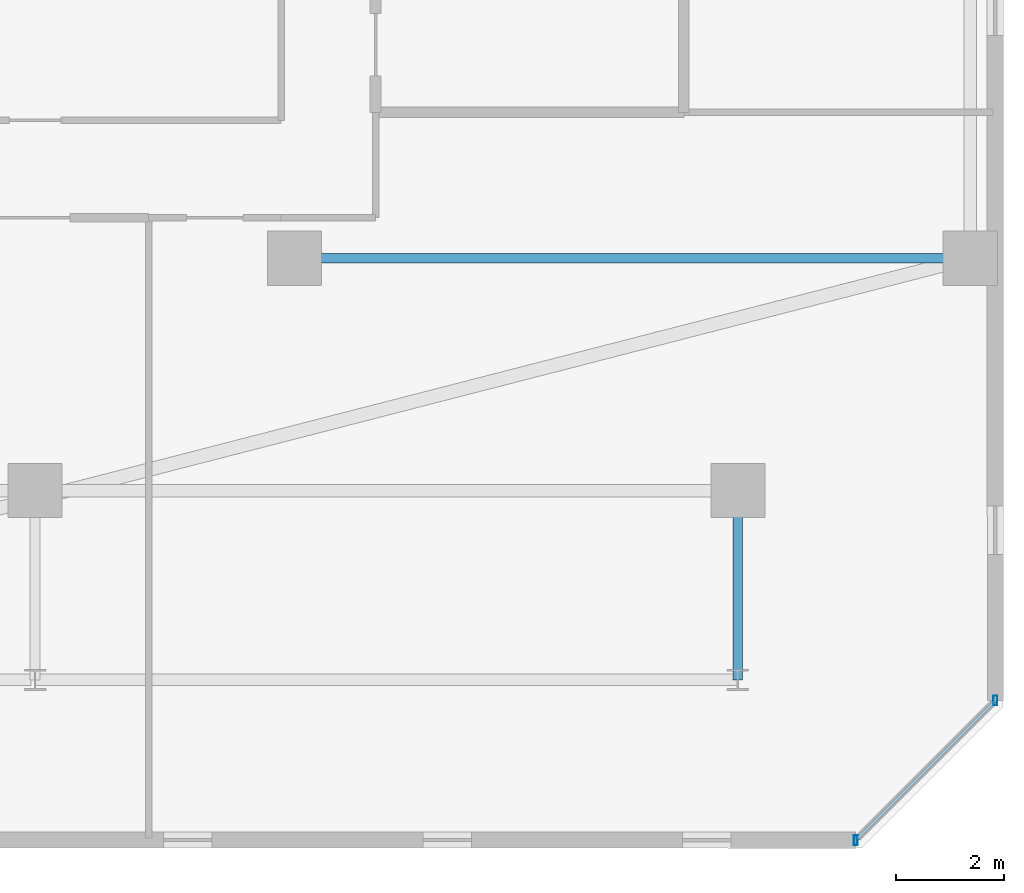
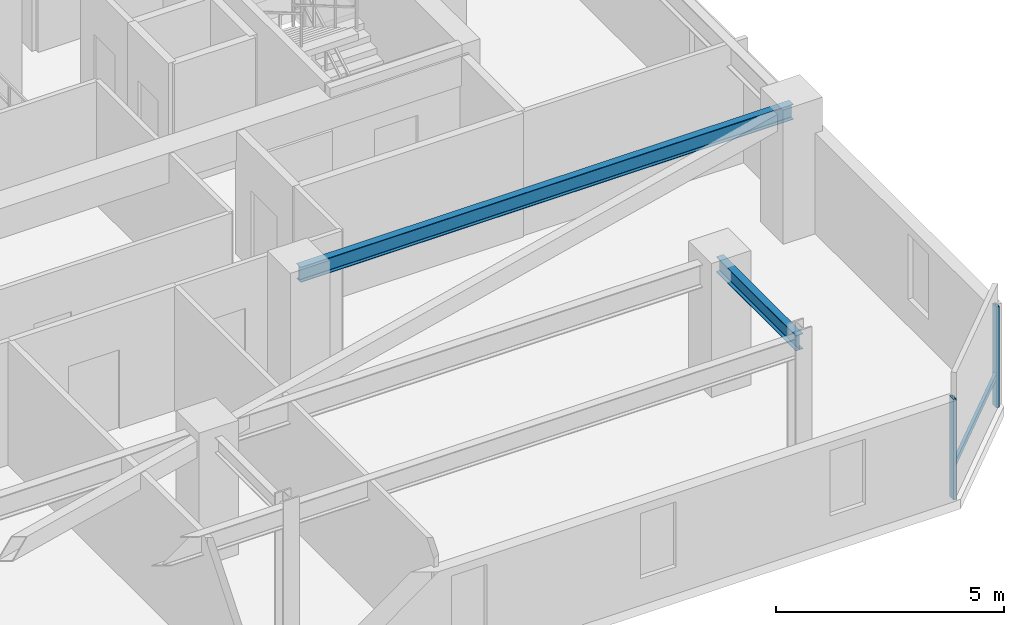
# One storey, part 14 of 32: 3 members, 2 beams, 1 element without a shape of its own.
"""IFC4 building model written with IfcOpenShell, lengths in metres."""

from ifc_helpers import new_model, si_unit, direction, frame, origin, origin_2d, place, context, subcontext, project, spatial, hollow_rectangle, i_section, extrude, material, material_profile, profile_set, type_object, element, aggregate, save


model = new_model("IFC4")

# Units and contexts
model_context = context("Model", 3, precision=1e-05, world=origin(), true_north=direction((0.0, 1.0)))
body_context = subcontext(model_context, "Body", "Model", "MODEL_VIEW")
ifc_project = project(units=[si_unit("LENGTHUNIT", "METRE"), si_unit("AREAUNIT", "SQUARE_METRE"), si_unit("VOLUMEUNIT", "CUBIC_METRE"), si_unit("PLANEANGLEUNIT", "RADIAN"), si_unit("MASSUNIT", "GRAM", prefix="KILO")], contexts=[model_context])

# Site, building, storey
site_placement = place(None, origin())
site = spatial("IfcSite", under=ifc_project, at=site_placement, CompositionType="ELEMENT")
building_placement = place(site_placement, origin())
building = spatial("IfcBuilding", under=site, at=building_placement, Name="Thornwick Lancets Civic Towers", CompositionType="ELEMENT")
storey_placement = place(building_placement, frame((0.0, 0.0, 200.10009765625)))
storey = spatial("IfcBuildingStorey", under=building, at=storey_placement, Name="L53", CompositionType="ELEMENT", Elevation=200.10009765625)

# Beams
ifc_material_1 = material(Name="Steel S355JR", Category="steel")
ifc_material_profile_1 = material_profile(ifc_material_1, i_section(OverallWidth=0.179443359375, OverallDepth=0.412841796875, WebThickness=0.009521484375, FlangeThickness=0.01611328125, FilletRadius=0.01025390625, at=origin_2d()), Name="UKB 406x178x74")
ifc_profile_set_1 = profile_set([ifc_material_profile_1], Name="Steel S355JR")
beam_type = type_object("IfcBeamType", Name="BM_JOIST_406_74", PredefinedType="JOIST", material=ifc_profile_set_1)
beam_1_placement = place(storey_placement, frame((93.300048828125, 14.0, 3.133544921875), z_axis=(1.0, 0.0, 0.0), x_axis=(0.0, 1.0, 0.0)))
element("IfcBeam", 1, at=beam_1_placement, inside=storey, type_object=beam_type, Name="BM-RADIN-L53-B01", PredefinedType="JOIST", context=body_context, shape_type="SweptSolid", body=[
    extrude(i_section(OverallWidth=0.179443359375, OverallDepth=0.412841796875, WebThickness=0.009521484375, FlangeThickness=0.01611328125, FilletRadius=0.01025390625, at=origin_2d()), origin(), (0.0, 0.0, 1.0), 12.5),
])
beam_2_placement = place(storey_placement, frame((101.5, 9.699951171875, 3.133544921875), z_axis=(0.0, -1.0, 0.0), x_axis=(1.0, 0.0, 0.0)))
element("IfcBeam", 2, at=beam_2_placement, inside=storey, type_object=beam_type, Name="BM-RAD-L53-B10", PredefinedType="JOIST", context=body_context, shape_type="SweptSolid", body=[
    extrude(i_section(OverallWidth=0.179443359375, OverallDepth=0.412841796875, WebThickness=0.009521484375, FlangeThickness=0.01611328125, FilletRadius=0.01025390625, at=origin_2d()), origin(), (0.0, 0.0, 1.0), 3.5),
])

# Curtain wall, members
ifc_material_2 = material(Name="High-zone chamfered-corner unitised glass curtain wall", Category="glass")
curtain_wall_type = type_object("IfcCurtainWallType", Name="CW_SYS_05", PredefinedType="NOTDEFINED", material=ifc_material_2)
curtain_wall_placement = place(storey_placement, origin())
curtain_wall = element("IfcCurtainWall", 3, at=curtain_wall_placement, inside=storey, type_object=curtain_wall_type, Name="L53 Curtain Wall CW-L53-B-E1", PredefinedType="NOTDEFINED")
ifc_material_3 = material(Name="Thermally broken bronze aluminium S355", Category="steel")
ifc_material_profile_2 = material_profile(ifc_material_3, hollow_rectangle(XDim=0.074951171875, YDim=0.179931640625, WallThickness=0.006103515625, at=origin_2d()), Name="RHS 180x75x6")
ifc_profile_set_2 = profile_set([ifc_material_profile_2], Name="Thermally broken bronze aluminium S355")
member_type_1 = type_object("IfcMemberType", Name="CW_MUL_180", PredefinedType="MULLION", material=ifc_profile_set_2)
member_1_placement = place(storey_placement, frame((103.681396484375, 3.2353515625, 0.0), z_axis=(0.0, 0.0, 1.0), x_axis=(1.0, 0.0, 0.0)))
member_1 = element("IfcMember", 4, at=member_1_placement, type_object=member_type_1, Name="CW-L53-B-E1 Mullion 0", PredefinedType="MULLION", context=body_context, shape_type="SweptSolid", body=[
    extrude(hollow_rectangle(XDim=0.074951171875, YDim=0.179931640625, WallThickness=0.006103515625, at=origin_2d()), origin(), (0.0, 0.0, 1.0), 2.699951171875),
])
member_2_placement = place(storey_placement, frame((106.2646484375, 5.818603515625, 0.0), z_axis=(0.0, 0.0, 1.0), x_axis=(1.0, 0.0, 0.0)))
member_2 = element("IfcMember", 5, at=member_2_placement, type_object=member_type_1, Name="CW-L53-B-E1 Mullion 1", PredefinedType="MULLION", context=body_context, shape_type="SweptSolid", body=[
    extrude(hollow_rectangle(XDim=0.074951171875, YDim=0.179931640625, WallThickness=0.006103515625, at=origin_2d()), origin(), (0.0, 0.0, 1.0), 2.699951171875),
])
ifc_material_profile_3 = material_profile(ifc_material_3, hollow_rectangle(XDim=0.074951171875, YDim=0.14990234375, WallThickness=0.0048828125, at=origin_2d()), Name="RHS 150x75x5")
ifc_profile_set_3 = profile_set([ifc_material_profile_3], Name="Thermally broken bronze aluminium S355")
member_type_2 = type_object("IfcMemberType", Name="CW_TRN_150", PredefinedType="USERDEFINED", material=ifc_profile_set_3)
member_3_placement = place(storey_placement, frame((103.695556640625, 3.24951171875, 0.849853515625), z_axis=(0.707106781187, 0.707106781187, 0.0), x_axis=(-0.707106781187, 0.707106781187, 0.0)))
member_3 = element("IfcMember", 6, at=member_3_placement, type_object=member_type_2, Name="CW-L53-B-E1 Transom 0", ObjectType="TRANSOM", PredefinedType="USERDEFINED", context=body_context, shape_type="SweptSolid", body=[
    extrude(hollow_rectangle(XDim=0.074951171875, YDim=0.14990234375, WallThickness=0.0048828125, at=origin_2d()), origin(), (0.0, 0.0, 1.0), 3.61328125),
])
aggregate(curtain_wall, [member_1, member_2, member_3])

save(model, "model.ifc")
